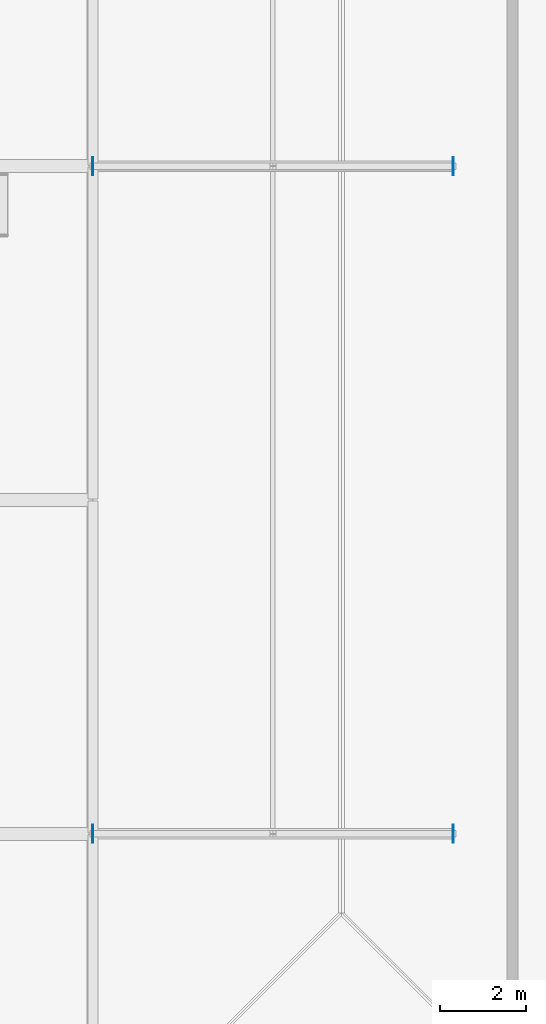
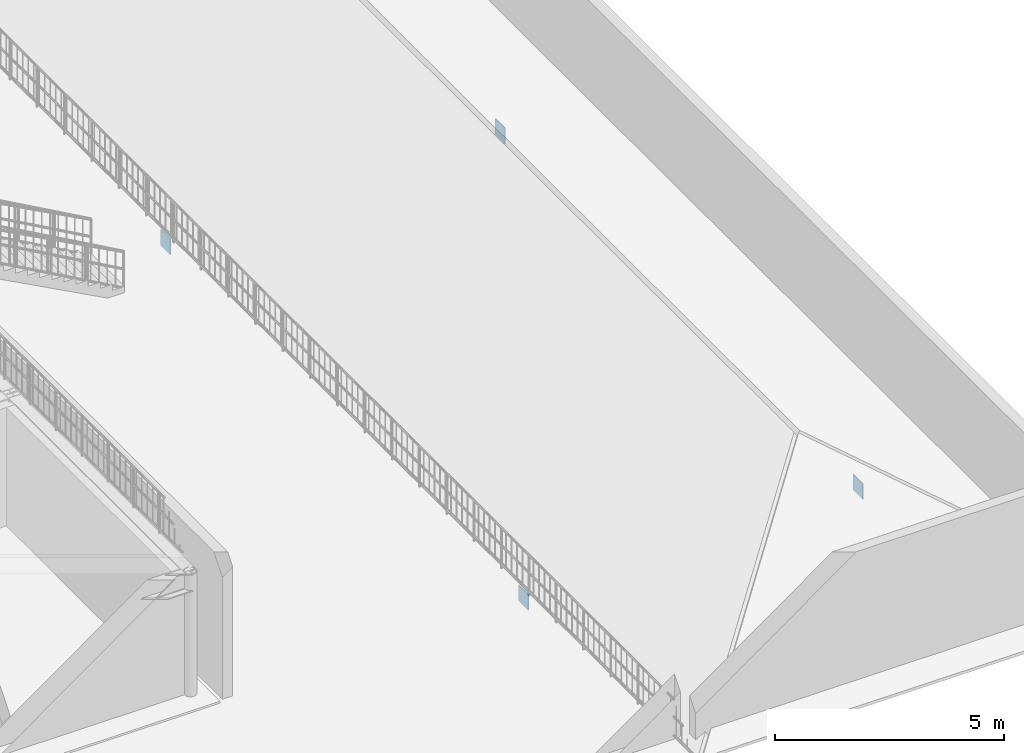
# One storey, part 4 of 16: 4 plates.
"""IFC4 building model written with IfcOpenShell, lengths in metres."""

from ifc_helpers import new_model, si_unit, direction, frame, origin, origin_2d, place, context, subcontext, project, spatial, rectangle, extrude, material, layer, layer_set, type_object, element, save


model = new_model("IFC4")

# Units and contexts
model_context = context("Model", 3, precision=1e-05, world=origin(), true_north=direction((0.0, 1.0)))
body_context = subcontext(model_context, "Body", "Model", "MODEL_VIEW")
ifc_project = project(units=[si_unit("LENGTHUNIT", "METRE"), si_unit("AREAUNIT", "SQUARE_METRE"), si_unit("VOLUMEUNIT", "CUBIC_METRE"), si_unit("PLANEANGLEUNIT", "RADIAN"), si_unit("MASSUNIT", "GRAM", prefix="KILO")], contexts=[model_context])

# Site, building, storey
site_placement = place(None, origin())
site = spatial("IfcSite", under=ifc_project, at=site_placement, CompositionType="ELEMENT")
building_placement = place(site_placement, origin())
building = spatial("IfcBuilding", under=site, at=building_placement, Name="Nabrawat Pavilion Hospital", CompositionType="ELEMENT")
storey_placement = place(building_placement, frame((0.0, 0.0, 35.10009765625)))
storey = spatial("IfcBuildingStorey", under=building, at=storey_placement, Name="Roof", CompositionType="ELEMENT", Elevation=35.10009765625)

# Plates
ifc_material = material(Name="Steel S355", Category="steel")
ifc_layer = layer(ifc_material, 0.02001953125, Name="Steel S355")
ifc_layer_set = layer_set([ifc_layer], Name="Steel S355")
plate_type = type_object("IfcPlateType", Name="Space Frame Interior Gusset Node Plate 420x420x20", PredefinedType="USERDEFINED", material=ifc_layer_set)
for number, where, z_axis, x_axis, name in (
    (1, (184.7900390625, 46.800048828125, -0.56005859375), (0.0, 0.0, 1.0), (1.0, 0.0, 0.0), "Inpatient East Boulevard Pavilion Tie Chord End Cap Plate 01-W"),
    (2, (193.2099609375, 46.800048828125, -0.56005859375), (0.0, 0.0, 1.0), (1.0, 0.0, 0.0), "Inpatient East Boulevard Pavilion Tie Chord End Cap Plate 01-E"),
    (3, (184.7900390625, 62.39990234375, -0.56005859375), (0.0, 0.0, 1.0), (1.0, 0.0, 0.0), "Inpatient East Boulevard Pavilion Tie Chord End Cap Plate 02-W"),
    (4, (193.2099609375, 62.39990234375, -0.56005859375), (0.0, 0.0, 1.0), (1.0, 0.0, 0.0), "Inpatient East Boulevard Pavilion Tie Chord End Cap Plate 02-E"),
):
    element("IfcPlate", number, at=place(storey_placement, frame(where, z_axis=z_axis, x_axis=x_axis)), inside=storey, type_object=plate_type, Name=name, ObjectType="GUSSET PLATE", PredefinedType="USERDEFINED", context=body_context, shape_type="SweptSolid", body=[
        extrude(rectangle(XDim=0.02001953125, YDim=0.419921875, at=origin_2d()), origin(), (0.0, 0.0, 1.0), 0.419921875),
    ])

save(model, "model.ifc")
